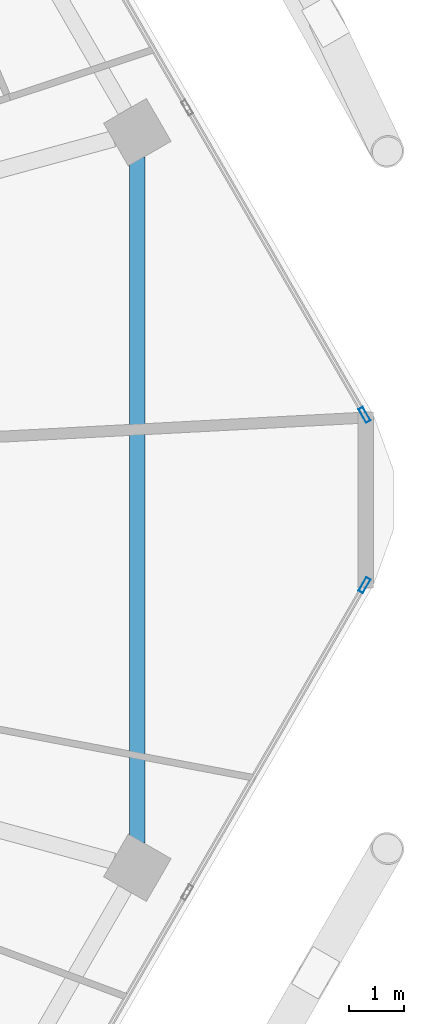
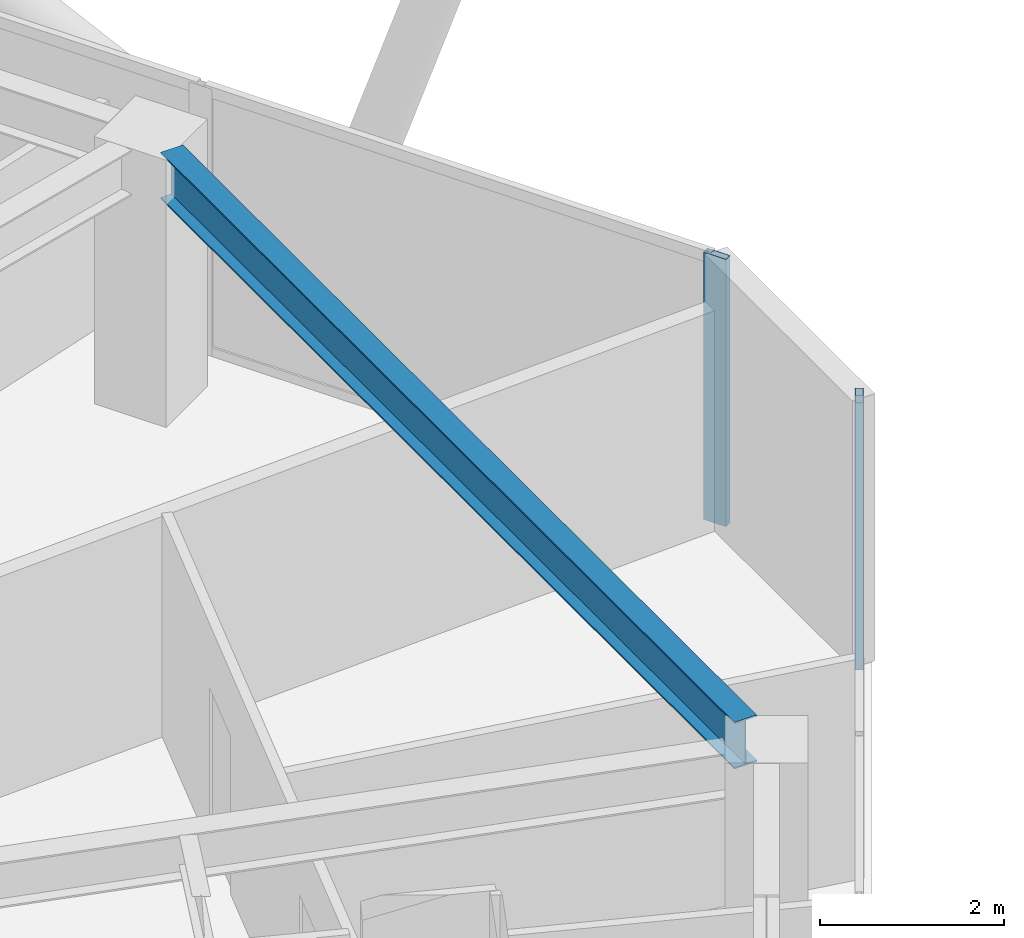
# One storey, part 11 of 28: 2 members, 1 beam, 2 elements without a shape of their own.
"""IFC4 building model written with IfcOpenShell, lengths in metres."""

from ifc_helpers import new_model, si_unit, direction, frame, origin, origin_2d, place, context, subcontext, project, spatial, hollow_rectangle, i_section, extrude, material, material_profile, profile_set, type_object, element, aggregate, save


model = new_model("IFC4")

# Units and contexts
model_context = context("Model", 3, precision=1e-05, world=origin(), true_north=direction((0.0, 1.0)))
body_context = subcontext(model_context, "Body", "Model", "MODEL_VIEW")
ifc_project = project(units=[si_unit("LENGTHUNIT", "METRE"), si_unit("AREAUNIT", "SQUARE_METRE"), si_unit("VOLUMEUNIT", "CUBIC_METRE"), si_unit("PLANEANGLEUNIT", "RADIAN"), si_unit("MASSUNIT", "GRAM", prefix="KILO")], contexts=[model_context])

# Site, building, storey
site_placement = place(None, origin())
site = spatial("IfcSite", under=ifc_project, at=site_placement, CompositionType="ELEMENT")
building_placement = place(site_placement, origin())
building = spatial("IfcBuilding", under=site, at=building_placement, Name="Zuhravey Tower", CompositionType="ELEMENT")
storey_placement = place(building_placement, frame((0.0, 0.0, 254.0)))
storey = spatial("IfcBuildingStorey", under=building, at=storey_placement, Name="L64", CompositionType="ELEMENT", Elevation=254.0)

# Curtain wall, member
ifc_material_1 = material(Name="Thermally broken anodised aluminium", Category="aluminium")
curtain_wall_type = type_object("IfcCurtainWallType", Name="Zone 3-4 High-Rise Curtain Wall CW4", PredefinedType="NOTDEFINED", material=ifc_material_1)
curtain_wall_1_placement = place(storey_placement, origin())
curtain_wall_1 = element("IfcCurtainWall", 1, at=curtain_wall_1_placement, inside=storey, type_object=curtain_wall_type, Name="L64 CW4 CW-L64-F6-1", PredefinedType="NOTDEFINED")
ifc_material_2 = material(Name="Anodised aluminium", Category="aluminium")
ifc_material_profile_1 = material_profile(ifc_material_2, hollow_rectangle(XDim=0.090087890625, YDim=0.284912109375, WallThickness=0.0048828125, at=origin_2d()), Name="ALU-RHS-90x285x5")
ifc_profile_set_1 = profile_set([ifc_material_profile_1], Name="Anodised aluminium")
member_type = type_object("IfcMemberType", Name="Curtain-Wall Mullion 90x180", PredefinedType="MULLION", material=ifc_profile_set_1)
member_1_placement = place(storey_placement, frame((64.62255859375, 30.448486328125, 0.0), z_axis=(0.0, 0.0, 1.0), x_axis=(0.866024851021, -0.500000957414, 0.0)))
member_1 = element("IfcMember", 2, at=member_1_placement, type_object=member_type, Name="CW4 mullion 1", PredefinedType="MULLION", context=body_context, shape_type="SweptSolid", body=[
    extrude(hollow_rectangle(XDim=0.090087890625, YDim=0.284912109375, WallThickness=0.0048828125, at=origin_2d()), origin(), (0.0, 0.0, 1.0), 3.550048828125),
])
aggregate(curtain_wall_1, [member_1])

curtain_wall_2_placement = place(storey_placement, origin())
curtain_wall_2 = element("IfcCurtainWall", 3, at=curtain_wall_2_placement, inside=storey, type_object=curtain_wall_type, Name="L64 CW4 CW-L64-F1-1", PredefinedType="NOTDEFINED")
member_2_placement = place(storey_placement, frame((64.62255859375, 33.551513671875, 0.0), z_axis=(0.0, 0.0, 1.0), x_axis=(0.866024851021, 0.500000957414, 0.0)))
member_2 = element("IfcMember", 4, at=member_2_placement, type_object=member_type, Name="CW4 mullion 5", PredefinedType="MULLION", context=body_context, shape_type="SweptSolid", body=[
    extrude(hollow_rectangle(XDim=0.090087890625, YDim=0.284912109375, WallThickness=0.0048828125, at=origin_2d()), origin(), (0.0, 0.0, 1.0), 3.550048828125),
])
aggregate(curtain_wall_2, [member_2])

# Beam
ifc_material_3 = material(Name="Steel SM355", Category="steel")
ifc_material_profile_2 = material_profile(ifc_material_3, i_section(OverallWidth=0.280029296875, OverallDepth=0.6201171875, WebThickness=0.011962890625, FlangeThickness=0.02001953125, at=origin_2d()), Name="H-620x280x12x20")
ifc_profile_set_2 = profile_set([ifc_material_profile_2], Name="Steel SM355")
beam_type = type_object("IfcBeamType", Name="Perimeter Ring Beam H620x280", PredefinedType="BEAM", material=ifc_profile_set_2)
beam_placement = place(storey_placement, frame((60.484619140625, 25.754150390625, 3.239990234375), z_axis=(0.0, 1.0, 0.0), x_axis=(-1.0, 0.0, 0.0)))
element("IfcBeam", 5, at=beam_placement, inside=storey, type_object=beam_type, Name="L64 PB3 BM-L64-PB-12", PredefinedType="BEAM", context=body_context, shape_type="SweptSolid", body=[
    extrude(i_section(OverallWidth=0.280029296875, OverallDepth=0.6201171875, WebThickness=0.011962890625, FlangeThickness=0.02001953125, at=origin_2d()), origin(), (0.0, 0.0, 1.0), 12.49169921875),
])

save(model, "model.ifc")
